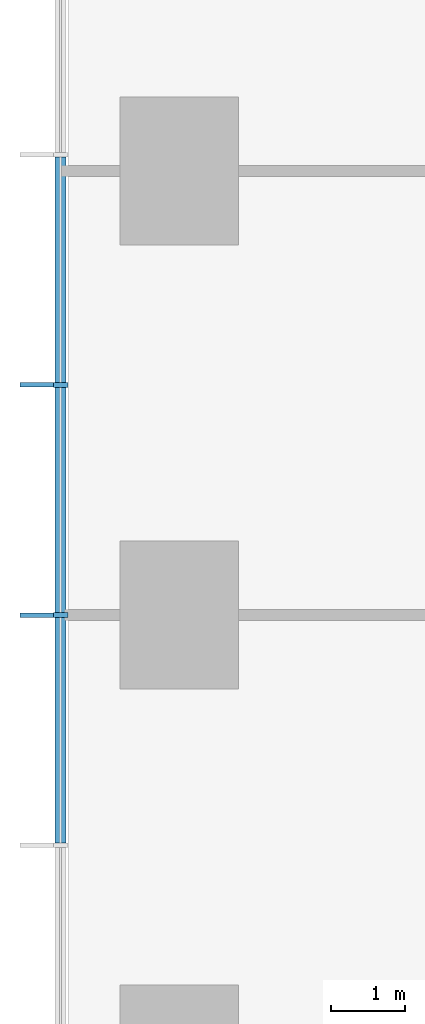
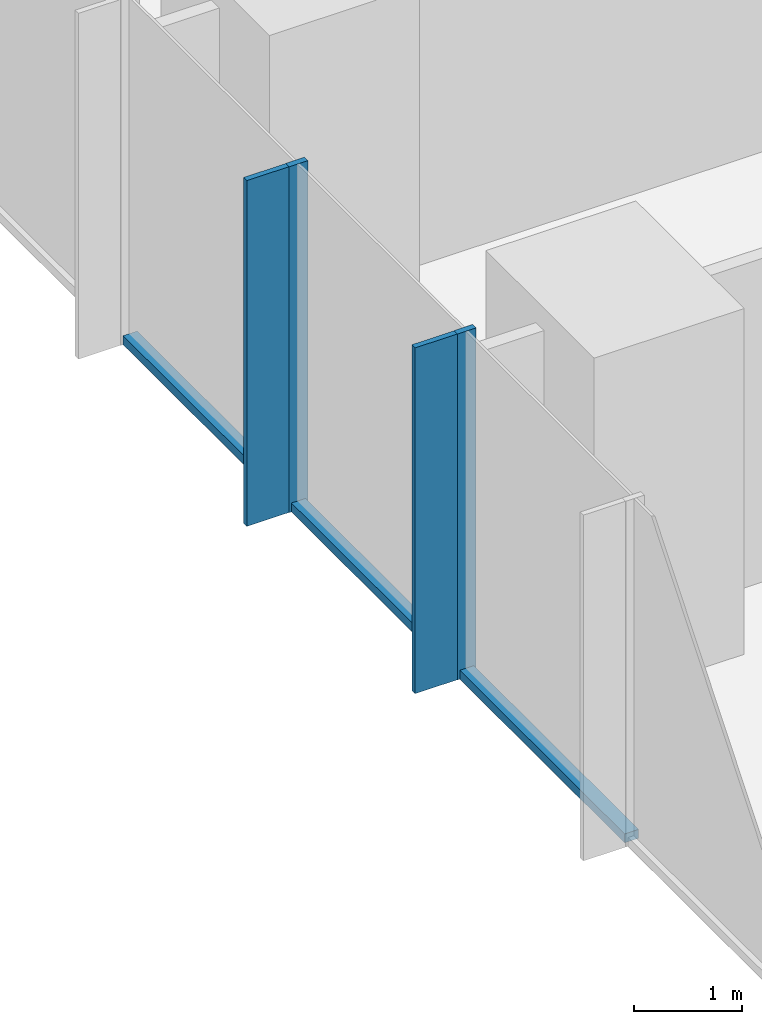
# One storey, part 3 of 12: 7 members, 1 element without a shape of its own.
"""IFC4 building model written with IfcOpenShell, lengths in metres."""

from ifc_helpers import new_model, si_unit, direction, frame, origin, origin_2d, place, context, subcontext, project, spatial, rectangle, extrude, material, layer, layer_set, material_profile, profile_set, type_object, element, aggregate, save


model = new_model("IFC4")

# Units and contexts
model_context = context("Model", 3, precision=1e-05, world=origin(), true_north=direction((0.0, 1.0)))
body_context = subcontext(model_context, "Body", "Model", "MODEL_VIEW")
ifc_project = project(units=[si_unit("LENGTHUNIT", "METRE"), si_unit("AREAUNIT", "SQUARE_METRE"), si_unit("VOLUMEUNIT", "CUBIC_METRE"), si_unit("PLANEANGLEUNIT", "RADIAN"), si_unit("MASSUNIT", "GRAM", prefix="KILO")], contexts=[model_context])

# Site, building, storey
site_placement = place(None, origin())
site = spatial("IfcSite", under=ifc_project, at=site_placement, CompositionType="ELEMENT")
building_placement = place(site_placement, origin())
building = spatial("IfcBuilding", under=site, at=building_placement, Name="Highveld Stack Headquarters", CompositionType="ELEMENT")
storey_placement = place(building_placement, frame((0.0, 0.0, 57.199951171875)))
storey = spatial("IfcBuildingStorey", under=building, at=storey_placement, Name="L13", CompositionType="ELEMENT", Elevation=57.199951171875)

# Curtain wall, members
ifc_material_1 = material(Name="Aluminium bronze anodised", Category="aluminium")
ifc_layer = layer(ifc_material_1, 0.199951171875)
ifc_layer_set = layer_set([ifc_layer], Name="Aluminium bronze anodised")
curtain_wall_type = type_object("IfcCurtainWallType", Name="CW1 TOWER UNITISED CURTAIN WALL", PredefinedType="NOTDEFINED", material=ifc_layer_set)
curtain_wall_placement = place(storey_placement, origin())
curtain_wall = element("IfcCurtainWall", 1, at=curtain_wall_placement, inside=storey, type_object=curtain_wall_type, Name="Curtain wall CW1 L13 W", PredefinedType="NOTDEFINED")
ifc_material_2 = material(Name="Aluminium bronze anodised", Category="aluminium")
ifc_material_profile_1 = material_profile(ifc_material_2, rectangle(XDim=0.449951171875, YDim=0.06005859375, at=origin_2d()), Name="FIN 450x60")
ifc_profile_set_1 = profile_set([ifc_material_profile_1], Name="Aluminium bronze anodised")
member_type_1 = type_object("IfcMemberType", Name="CW1 BRONZE FIN 450x60", PredefinedType="USERDEFINED", material=ifc_profile_set_1)
member_1_placement = place(storey_placement, frame((-19.925048828125, 3.110595703125, 0.0), z_axis=(0.0, 0.0, 1.0), x_axis=(1.0, 0.0, 0.0)))
member_1 = element("IfcMember", 2, at=member_1_placement, type_object=member_type_1, Name="CW1 fin L13 6", ObjectType="FIN", PredefinedType="USERDEFINED", context=body_context, shape_type="SweptSolid", body=[
    extrude(rectangle(XDim=0.449951171875, YDim=0.06005859375, at=origin_2d()), origin(), (0.0, 0.0, 1.0), 3.900146484375),
])
member_2_placement = place(storey_placement, frame((-19.925048828125, 0.0, 0.0), z_axis=(0.0, 0.0, 1.0), x_axis=(1.0, 0.0, 0.0)))
member_2 = element("IfcMember", 3, at=member_2_placement, type_object=member_type_1, Name="CW1 fin L13 7", ObjectType="FIN", PredefinedType="USERDEFINED", context=body_context, shape_type="SweptSolid", body=[
    extrude(rectangle(XDim=0.449951171875, YDim=0.06005859375, at=origin_2d()), origin(), (0.0, 0.0, 1.0), 3.900146484375),
])
ifc_material_3 = material(Name="Aluminium bronze anodised", Category="aluminium")
ifc_material_profile_2 = material_profile(ifc_material_3, rectangle(XDim=0.199951171875, YDim=0.06494140625, at=origin_2d()), Name="CW1 MULLION 65x200")
ifc_profile_set_2 = profile_set([ifc_material_profile_2], Name="Aluminium bronze anodised")
member_type_2 = type_object("IfcMemberType", Name="CW1 MULLION 65x200", PredefinedType="MULLION", material=ifc_profile_set_2)
member_3_placement = place(storey_placement, frame((-19.60009765625, 3.110595703125, 0.0), z_axis=(0.0, 0.0, 1.0), x_axis=(1.0, 0.0, 0.0)))
member_3 = element("IfcMember", 4, at=member_3_placement, type_object=member_type_2, Name="CW1 mullion L13 6", PredefinedType="MULLION", context=body_context, shape_type="SweptSolid", body=[
    extrude(rectangle(XDim=0.199951171875, YDim=0.06494140625, at=origin_2d()), origin(), (0.0, 0.0, 1.0), 3.900146484375),
])
member_4_placement = place(storey_placement, frame((-19.60009765625, 0.0, 0.0), z_axis=(0.0, 0.0, 1.0), x_axis=(1.0, 0.0, 0.0)))
member_4 = element("IfcMember", 5, at=member_4_placement, type_object=member_type_2, Name="CW1 mullion L13 7", PredefinedType="MULLION", context=body_context, shape_type="SweptSolid", body=[
    extrude(rectangle(XDim=0.199951171875, YDim=0.06494140625, at=origin_2d()), origin(), (0.0, 0.0, 1.0), 3.900146484375),
])
ifc_material_4 = material(Name="Aluminium bronze anodised", Category="aluminium")
ifc_material_profile_3 = material_profile(ifc_material_4, rectangle(XDim=0.14990234375, YDim=0.10009765625, at=origin_2d()), Name="CW1 TRANSOM 150x100")
ifc_profile_set_3 = profile_set([ifc_material_profile_3], Name="Aluminium bronze anodised")
member_type_3 = type_object("IfcMemberType", Name="CW1 STACK TRANSOM 150x100", PredefinedType="USERDEFINED", material=ifc_profile_set_3)
member_5_placement = place(storey_placement, frame((-19.60009765625, 6.1884765625, 0.050048828125), z_axis=(0.0, -1.0, 0.0), x_axis=(1.0, 0.0, 0.0)))
member_5 = element("IfcMember", 6, at=member_5_placement, type_object=member_type_3, Name="CW1 transom L13 5.1", ObjectType="TRANSOM", PredefinedType="USERDEFINED", context=body_context, shape_type="SweptSolid", body=[
    extrude(rectangle(XDim=0.14990234375, YDim=0.10009765625, at=origin_2d()), origin(), (0.0, 0.0, 1.0), 3.04541015625),
])
member_6_placement = place(storey_placement, frame((-19.60009765625, 3.077880859375, 0.050048828125), z_axis=(0.0, -1.0, 0.0), x_axis=(1.0, 0.0, 0.0)))
member_6 = element("IfcMember", 7, at=member_6_placement, type_object=member_type_3, Name="CW1 transom L13 6.1", ObjectType="TRANSOM", PredefinedType="USERDEFINED", context=body_context, shape_type="SweptSolid", body=[
    extrude(rectangle(XDim=0.14990234375, YDim=0.10009765625, at=origin_2d()), origin(), (0.0, 0.0, 1.0), 3.04541015625),
])
member_7_placement = place(storey_placement, frame((-19.60009765625, -0.032470703125, 0.050048828125), z_axis=(0.0, -1.0, 0.0), x_axis=(1.0, 0.0, 0.0)))
member_7 = element("IfcMember", 8, at=member_7_placement, type_object=member_type_3, Name="CW1 transom L13 7.1", ObjectType="TRANSOM", PredefinedType="USERDEFINED", context=body_context, shape_type="SweptSolid", body=[
    extrude(rectangle(XDim=0.14990234375, YDim=0.10009765625, at=origin_2d()), origin(), (0.0, 0.0, 1.0), 3.04541015625),
])
aggregate(curtain_wall, [member_3, member_1, member_4, member_2, member_5, member_6, member_7])

save(model, "model.ifc")
